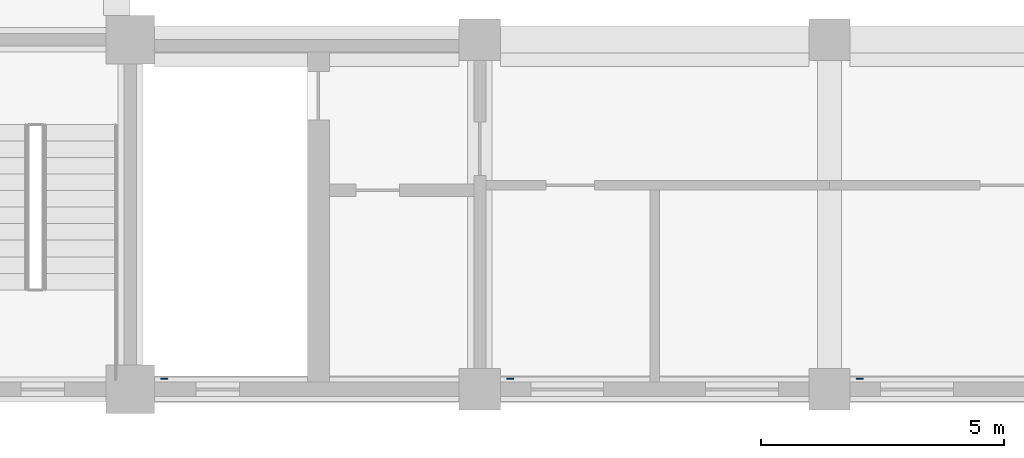
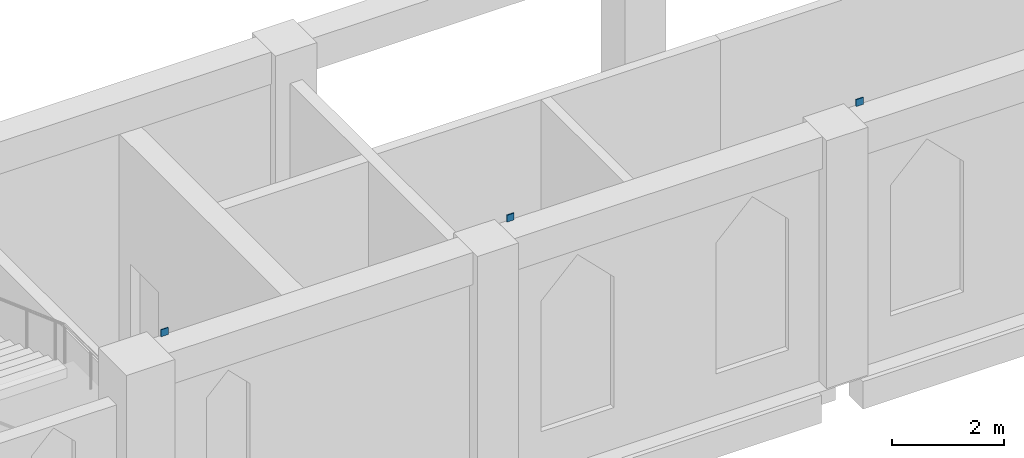
# One storey, part 37 of 48: 3 discrete accessories.
"""IFC4 building model written with IfcOpenShell, lengths in metres."""

from ifc_helpers import new_model, si_unit, direction, frame, origin, origin_2d, place, context, subcontext, project, spatial, rectangle, extrude, material, element, save


model = new_model("IFC4")

# Units and contexts
model_context = context("Model", 3, precision=1e-05, world=origin(), true_north=direction((0.0, 1.0)))
body_context = subcontext(model_context, "Body", "Model", "MODEL_VIEW")
ifc_project = project(units=[si_unit("LENGTHUNIT", "METRE"), si_unit("AREAUNIT", "SQUARE_METRE"), si_unit("VOLUMEUNIT", "CUBIC_METRE"), si_unit("PLANEANGLEUNIT", "RADIAN"), si_unit("MASSUNIT", "GRAM", prefix="KILO")], contexts=[model_context])

# Site, building, storey
site_placement = place(None, origin())
site = spatial("IfcSite", under=ifc_project, at=site_placement, CompositionType="ELEMENT")
building_placement = place(site_placement, origin())
building = spatial("IfcBuilding", under=site, at=building_placement, Name="Silangan Lancet Faculty of Sciences", CompositionType="ELEMENT")
storey_placement = place(building_placement, frame((0.0, 0.0, 6.0)))
storey = spatial("IfcBuildingStorey", under=building, at=storey_placement, Name="L01", CompositionType="ELEMENT", Elevation=6.0)

# Discrete accessories
ifc_material = material(Name="Steel STKR400", Category="steel")
for number, where, z_axis, x_axis, name in (
    (1, (29.5, 0.219970703125, 5.420166015625), (0.0, 0.0, 1.0), (1.0, 0.0, 0.0), "Truss 1 bottom chord cap"),
    (2, (36.625, 0.219970703125, 5.420166015625), (0.0, 0.0, 1.0), (1.0, 0.0, 0.0), "Truss 2 bottom chord cap"),
    (3, (43.824951171875, 0.219970703125, 5.420166015625), (0.0, 0.0, 1.0), (1.0, 0.0, 0.0), "Truss 3 bottom chord cap"),
):
    element("IfcDiscreteAccessory", number, at=place(storey_placement, frame(where, z_axis=z_axis, x_axis=x_axis)), inside=storey, material=ifc_material, Name=name, ObjectType="END CAP", PredefinedType="USERDEFINED", context=body_context, shape_type="SweptSolid", body=[
        extrude(rectangle(XDim=0.14990234375, YDim=0.02001953125, at=origin_2d()), origin(), (0.0, 0.0, 1.0), 0.14990234375),
    ])

save(model, "model.ifc")
